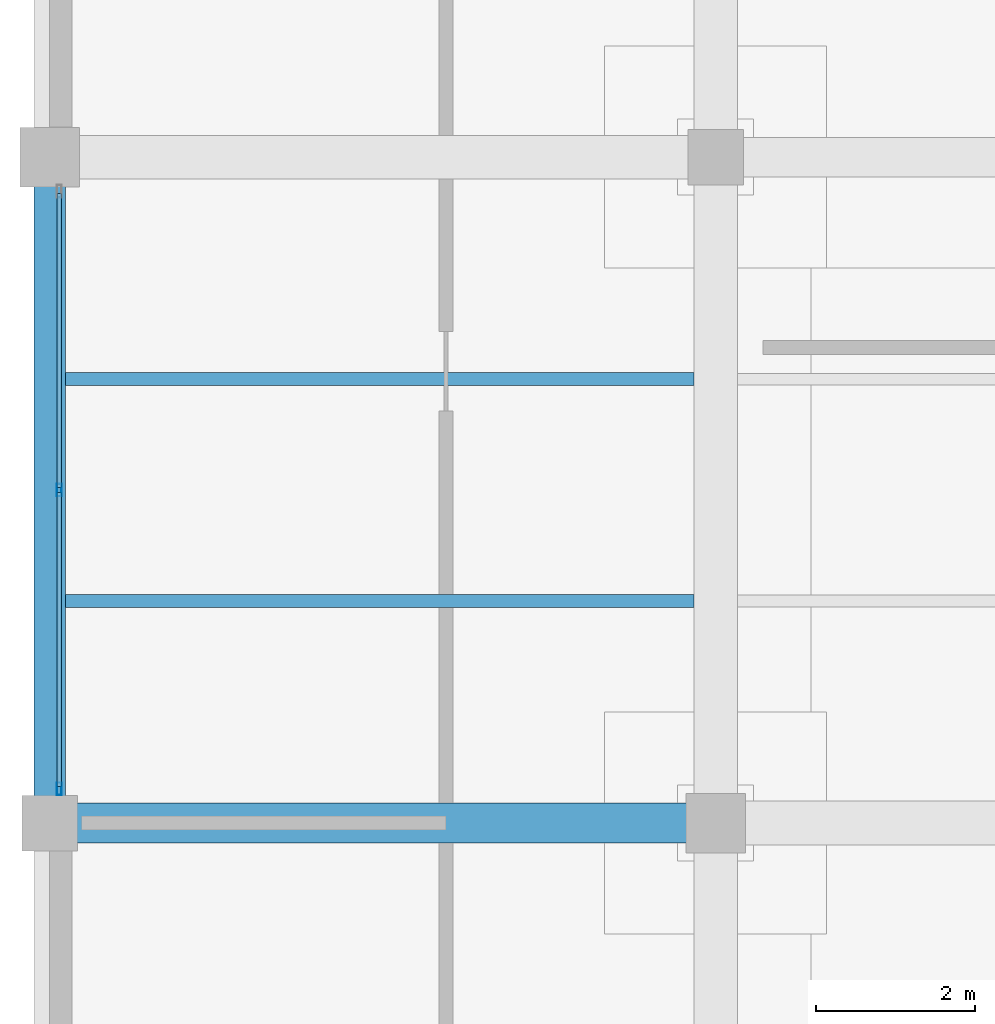
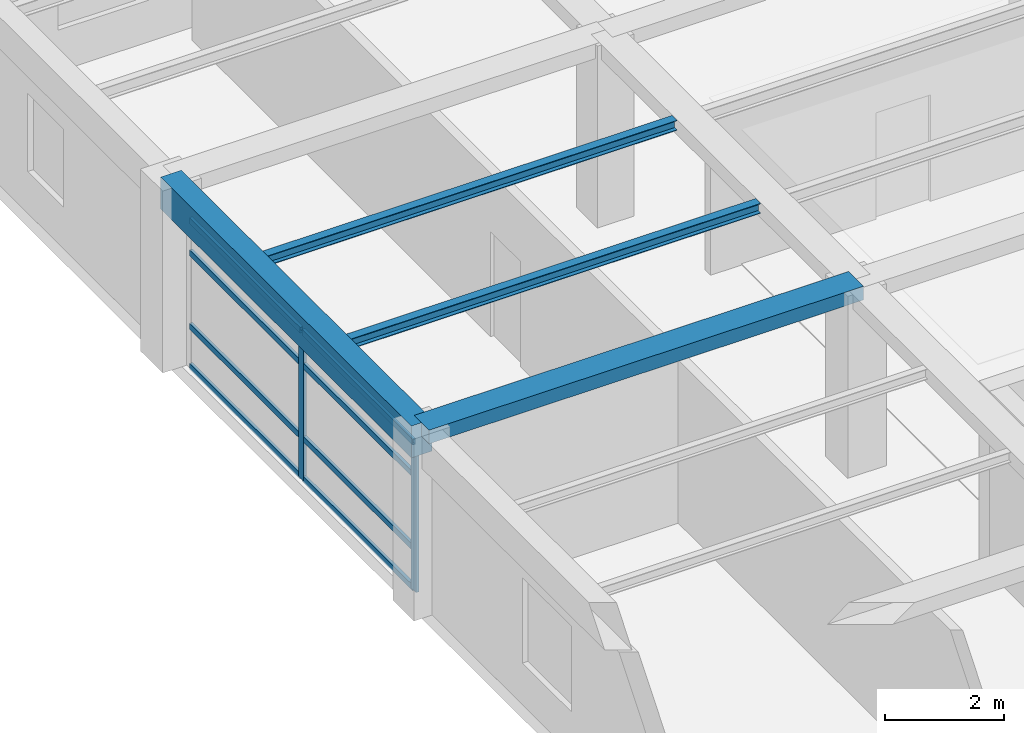
# One storey, part 6 of 26: 10 members, 4 beams, 1 element without a shape of its own.
"""IFC4 building model written with IfcOpenShell, lengths in metres."""

import ifcopenshell
import ifcopenshell.guid

model = None  # the IFC model being written
_history = None  # IfcOwnerHistory: only IFC2X3 demands one
_inside = {}  # id of a spatial element -> (the spatial element, [elements in it])
_under = {}  # id of a project, library or spatial element -> (it, [spatial elements below it])
_declared = {}  # id of a project -> (the project, [libraries it declares])
_typed = {}  # id of a type object -> (the type object, [elements of that type])
_made_of = {}  # id of a material, layer set ... -> (it, [elements and type objects made of it])


def new_model(schema):
    """Start an empty IFC model of exactly this schema.

    Asked for "IFC4X3", IfcOpenShell would pick the latest addendum, in which some entities
    have other attributes; the version numbers below select the first issue.
    IFC2X3 requires an IfcOwnerHistory on every rooted entity: one is made here for all.
    """
    global model, _history
    if schema == "IFC4X3":
        model = ifcopenshell.file(schema_version=(4, 3, 0, 0))
    else:
        model = ifcopenshell.file(schema=schema)
    _inside.clear()
    _under.clear()
    _declared.clear()
    _typed.clear()
    _made_of.clear()
    _history = None
    if model.schema == "IFC2X3":
        org = make("IfcOrganization", Name="unknown")
        user = make(
            "IfcPersonAndOrganization",
            ThePerson=make("IfcPerson", FamilyName="unknown"),
            TheOrganization=org,
        )
        app = make(
            "IfcApplication",
            ApplicationDeveloper=org,
            Version="unknown",
            ApplicationFullName="unknown",
            ApplicationIdentifier="unknown",
        )
        _history = make(
            "IfcOwnerHistory",
            OwningUser=user,
            OwningApplication=app,
            ChangeAction="ADDED",
            CreationDate=0,
        )
    return model


def make(cls, **values):
    """One entity of the class cls with the attributes given. An attribute that is None is left unset."""
    return model.create_entity(
        cls, **{name: value for name, value in values.items() if value is not None}
    )


def rooted(cls, **values):
    """An entity with a GlobalId (a new one), such as an element, a storey or a relation."""
    return make(cls, GlobalId=ifcopenshell.guid.new(), OwnerHistory=_history, **values)


def si_unit(unit_type, name, prefix=None):
    """IfcSIUnit, for example si_unit("LENGTHUNIT", "METRE", prefix="MILLI")."""
    return make("IfcSIUnit", UnitType=unit_type, Prefix=prefix, Name=name)


def assignment(units):
    """IfcUnitAssignment: the units of a project."""
    return None if units is None else make("IfcUnitAssignment", Units=units)


def point(xyz):
    """IfcCartesianPoint."""
    return None if xyz is None else make("IfcCartesianPoint", Coordinates=xyz)


def direction(xyz):
    """IfcDirection."""
    return None if xyz is None else make("IfcDirection", DirectionRatios=xyz)


def frame(location, z_axis=None, x_axis=None):
    """IfcAxis2Placement3D, a coordinate frame: its origin and axes. An axis left out is left unset."""
    return make(
        "IfcAxis2Placement3D",
        Location=point(location),
        Axis=direction(z_axis),
        RefDirection=direction(x_axis),
    )


def frame_2d(location, x_axis=None):
    """IfcAxis2Placement2D, a coordinate frame in the plane: its origin and x axis."""
    return make(
        "IfcAxis2Placement2D", Location=point(location), RefDirection=direction(x_axis)
    )


def origin():
    """The frame at (0, 0, 0) with its axes left unset."""
    return frame((0.0, 0.0, 0.0))


def origin_2d():
    """The frame at (0, 0) in the plane with its x axis left unset."""
    return frame_2d((0.0, 0.0))


def place(relative_to, where):
    """IfcLocalPlacement: puts the frame where relative to a parent placement (None: the world)."""
    return make(
        "IfcLocalPlacement", PlacementRelTo=relative_to, RelativePlacement=where
    )


def context(
    kind, dimensions, precision=None, world=None, true_north=None, identifier=None
):
    """IfcGeometricRepresentationContext, for example the 3D "Model" context."""
    return make(
        "IfcGeometricRepresentationContext",
        ContextIdentifier=identifier,
        ContextType=kind,
        CoordinateSpaceDimension=dimensions,
        Precision=precision,
        WorldCoordinateSystem=world,
        TrueNorth=true_north,
    )


def subcontext(parent, identifier, kind, view, scale=None):
    """IfcGeometricRepresentationSubContext, for example "Body" below "Model"."""
    return make(
        "IfcGeometricRepresentationSubContext",
        ContextIdentifier=identifier,
        ContextType=kind,
        ParentContext=parent,
        TargetScale=scale,
        TargetView=view,
    )


def project(units=None, contexts=None):
    """IfcProject with its units and contexts."""
    return rooted(
        "IfcProject",
        Name="project",
        RepresentationContexts=contexts,
        UnitsInContext=assignment(units),
    )


def spatial(cls, under=None, at=None, **own):
    """A site, building, storey or space (cls), placed at a placement, below another one or the project."""
    s = rooted(cls, ObjectPlacement=at, **own)
    if under is not None:
        _under.setdefault(under.id(), (under, []))[1].append(s)
    return s


def profile(cls, at=None, kind="AREA", **sizes):
    """A parametric profile (cls). Its sizes go by their IFC names, for example OverallWidth=200.0."""
    return make(cls, ProfileType=kind, Position=at, **sizes)


def rectangle(**sizes):
    """IfcRectangleProfileDef."""
    return profile("IfcRectangleProfileDef", **sizes)


def hollow_rectangle(**sizes):
    """IfcRectangleHollowProfileDef."""
    return profile("IfcRectangleHollowProfileDef", **sizes)


def i_section(**sizes):
    """IfcIShapeProfileDef."""
    return profile("IfcIShapeProfileDef", **sizes)


def extrude(swept, where, along, depth):
    """IfcExtrudedAreaSolid: the profile swept, set in the frame where, extruded along a direction by depth."""
    return make(
        "IfcExtrudedAreaSolid",
        SweptArea=swept,
        Position=where,
        ExtrudedDirection=direction(along),
        Depth=depth,
    )


def shape(context_of_items, identifier, shape_type, items):
    """IfcShapeRepresentation: the items that make up one representation, for example the "Body"."""
    return make(
        "IfcShapeRepresentation",
        ContextOfItems=context_of_items,
        RepresentationIdentifier=identifier,
        RepresentationType=shape_type,
        Items=items,
    )


def material(Name=None, Category=None):
    """IfcMaterial."""
    return make("IfcMaterial", Name=Name, Category=Category)


def material_profile(
    of_material, cross_section, Name=None, Category=None, Priority=None
):
    """IfcMaterialProfile: a cross section and its material."""
    return make(
        "IfcMaterialProfile",
        Name=Name,
        Material=of_material,
        Profile=cross_section,
        Priority=Priority,
        Category=Category,
    )


def profile_set(profiles, Name=None, composite=None):
    """IfcMaterialProfileSet."""
    return make(
        "IfcMaterialProfileSet",
        Name=Name,
        MaterialProfiles=profiles,
        CompositeProfile=composite,
    )


def made_of(thing, what):
    """Note that an element or type object is made of a material, layer set ...; save() writes the relation."""
    if what is not None:
        _made_of.setdefault(what.id(), (what, []))[1].append(thing)
    return thing


def type_object(cls, material=None, **own):
    """A type object (cls), such as IfcWallType, which elements share."""
    return made_of(rooted(cls, **own), material)


def element(
    cls,
    number,
    at=None,
    inside=None,
    cuts=None,
    type_object=None,
    material=None,
    context=None,
    identifier="Body",
    shape_type=None,
    held_by="IfcProductDefinitionShape",
    body=None,
    shapes=None,
    **own,
):
    """One element of the class cls, such as IfcWall. Its Tag is "e" and its number.

    at: its placement. inside: the storey or other place that contains it. cuts: it is an
    opening in that element (IfcRelVoidsElement). A single representation is given by context,
    identifier, shape_type and body (its items); several are given by shapes. held_by: the class
    of the entity that holds the representations. save() writes the other relations.
    """
    e = rooted(cls, Tag="e%d" % number, ObjectPlacement=at, **own)
    if body is not None:
        shapes = [shape(context, identifier, shape_type, body)]
    if shapes is not None:
        e.Representation = make(held_by, Representations=shapes)
    if inside is not None:
        _inside.setdefault(inside.id(), (inside, []))[1].append(e)
    if cuts is not None:
        rooted(
            "IfcRelVoidsElement", RelatingBuildingElement=cuts, RelatedOpeningElement=e
        )
    if type_object is not None:
        _typed.setdefault(type_object.id(), (type_object, []))[1].append(e)
    return made_of(e, material)


def aggregate(whole, parts):
    """IfcRelAggregates: a whole, such as a stair, and the parts it consists of."""
    return rooted("IfcRelAggregates", RelatingObject=whole, RelatedObjects=parts)


def save(model, path):
    """Write the relations noted so far, then the file.

    IfcRelAggregates (storeys below a building ...), IfcRelContainedInSpatialStructure (elements
    in a storey), IfcRelDefinesByType, IfcRelAssociatesMaterial and IfcRelDeclares: one each for
    every whole, place, type object, material and project.
    """
    for whole, parts in _under.values():
        aggregate(whole, parts)
    for where, things in _inside.values():
        rooted(
            "IfcRelContainedInSpatialStructure",
            RelatedElements=things,
            RelatingStructure=where,
        )
    for kind, things in _typed.values():
        rooted("IfcRelDefinesByType", RelatedObjects=things, RelatingType=kind)
    for what, things in _made_of.values():
        rooted("IfcRelAssociatesMaterial", RelatedObjects=things, RelatingMaterial=what)
    for by, libraries in _declared.values():
        rooted("IfcRelDeclares", RelatingContext=by, RelatedDefinitions=libraries)
    model.write(path)


model = new_model("IFC4")

# Units and contexts
model_context = context("Model", 3, precision=1e-05, world=origin(), true_north=direction((0.0, 1.0)))
body_context = subcontext(model_context, "Body", "Model", "MODEL_VIEW")
ifc_project = project(units=[si_unit("LENGTHUNIT", "METRE"), si_unit("AREAUNIT", "SQUARE_METRE"), si_unit("VOLUMEUNIT", "CUBIC_METRE"), si_unit("PLANEANGLEUNIT", "RADIAN"), si_unit("MASSUNIT", "GRAM", prefix="KILO")], contexts=[model_context])

# Site, building, storey
site_placement = place(None, origin())
site = spatial("IfcSite", under=ifc_project, at=site_placement, CompositionType="ELEMENT")
building_placement = place(site_placement, origin())
building = spatial("IfcBuilding", under=site, at=building_placement, Name="Almacenes y Pasaje Nevantli", CompositionType="ELEMENT")
storey_placement = place(building_placement, frame((0.0, 0.0, 30.699951171875)))
storey = spatial("IfcBuildingStorey", under=building, at=storey_placement, Name="L07", CompositionType="ELEMENT", Elevation=30.699951171875)

# Beams
ifc_material_1 = material(Name="Concrete C35/45", Category="concrete")
ifc_material_profile_1 = material_profile(ifc_material_1, rectangle(XDim=0.39990234375, YDim=0.64990234375, at=origin_2d()), Name="RC-BM-400x650")
ifc_profile_set_1 = profile_set([ifc_material_profile_1], Name="Concrete C35/45")
beam_type_1 = type_object("IfcBeamType", Name="BM-RC-400x650", PredefinedType="SPANDREL", material=ifc_profile_set_1)
beam_1_placement = place(storey_placement, frame((109.199951171875, 84.0, 3.39501953125), z_axis=(0.0, 1.0, 0.0), x_axis=(-1.0, 0.0, 0.0)))
element("IfcBeam", 1, at=beam_1_placement, inside=storey, type_object=beam_type_1, Name="L07 North-South Reinforced Concrete Beam #3661", PredefinedType="SPANDREL", context=body_context, shape_type="SweptSolid", body=[
    extrude(rectangle(XDim=0.39990234375, YDim=0.64990234375, at=origin_2d()), origin(), (0.0, 0.0, 1.0), 8.39990234375),
])
ifc_material_2 = material(Name="Concrete C35/45", Category="concrete")
ifc_material_profile_2 = material_profile(ifc_material_2, rectangle(XDim=0.5, YDim=0.280029296875, at=origin_2d()), Name="RC-BM-500x280")
ifc_profile_set_2 = profile_set([ifc_material_profile_2], Name="Concrete C35/45")
beam_type_2 = type_object("IfcBeamType", Name="BM-RC-500x280", PredefinedType="BEAM", material=ifc_profile_set_2)
beam_2_placement = place(storey_placement, frame((109.199951171875, 84.0, 3.580078125), z_axis=(1.0, 0.0, 0.0), x_axis=(0.0, 1.0, 0.0)))
element("IfcBeam", 2, at=beam_2_placement, inside=storey, type_object=beam_type_2, Name="L07 East-West Reinforced Concrete Beam #3641", PredefinedType="BEAM", context=body_context, shape_type="SweptSolid", body=[
    extrude(rectangle(XDim=0.5, YDim=0.280029296875, at=origin_2d()), origin(), (0.0, 0.0, 1.0), 8.400146484375),
])
ifc_material_3 = material(Name="Steel ASTM A992", Category="steel")
ifc_material_profile_3 = material_profile(ifc_material_3, i_section(OverallWidth=0.166015625, OverallDepth=0.205078125, WebThickness=0.007080078125, FlangeThickness=0.01171875, at=origin_2d()), Name="IR 203x41.7")
ifc_profile_set_3 = profile_set([ifc_material_profile_3], Name="Steel ASTM A992")
beam_type_3 = type_object("IfcBeamType", Name="BM-STL-IR-203x41p7", PredefinedType="JOIST", material=ifc_profile_set_3)
for number, where, z_axis, x_axis, name in (
    (3, (109.39990234375, 86.800048828125, 3.609619140625), (1.0, 0.0, 0.0), (0.0, 1.0, 0.0), "L07 Secondary Steel Floor Joist #1391"),
    (4, (109.39990234375, 89.60009765625, 3.609619140625), (1.0, 0.0, 0.0), (0.0, 1.0, 0.0), "L07 Secondary Steel Floor Joist #1392"),
):
    element("IfcBeam", number, at=place(storey_placement, frame(where, z_axis=z_axis, x_axis=x_axis)), inside=storey, type_object=beam_type_3, Name=name, PredefinedType="JOIST", context=body_context, shape_type="SweptSolid", body=[
        extrude(i_section(OverallWidth=0.166015625, OverallDepth=0.205078125, WebThickness=0.007080078125, FlangeThickness=0.01171875, at=origin_2d()), origin(), (0.0, 0.0, 1.0), 7.925048828125),
    ])

# Curtain wall, members
ifc_material_4 = material(Name="Thermally Broken Aluminium and Low-E Glass", Category="aluminium")
curtain_wall_type = type_object("IfcCurtainWallType", Name="CW-UNIT-TOWER", PredefinedType="USERDEFINED", material=ifc_material_4)
curtain_wall_placement = place(storey_placement, origin())
curtain_wall = element("IfcCurtainWall", 5, at=curtain_wall_placement, inside=storey, type_object=curtain_wall_type, Name="L07 Tower West Curtain Wall Bay 11", ObjectType="UNITIZED CURTAIN WALL", PredefinedType="USERDEFINED")
ifc_material_5 = material(Name="Thermally Broken Anodized Aluminium", Category="aluminium")
ifc_material_profile_4 = material_profile(ifc_material_5, hollow_rectangle(XDim=0.06005859375, YDim=0.159912109375, WallThickness=0.00390625, at=origin_2d()), Name="ALU-MUL-60x160")
ifc_profile_set_4 = profile_set([ifc_material_profile_4], Name="Thermally Broken Anodized Aluminium")
member_type_1 = type_object("IfcMemberType", Name="CW-MUL-180", PredefinedType="MULLION", material=ifc_profile_set_4)
member_1_placement = place(storey_placement, frame((109.320068359375, 84.429931640625, 0.0), z_axis=(0.0, 0.0, 1.0), x_axis=(-1.0, 0.0, 0.0)))
member_1 = element("IfcMember", 6, at=member_1_placement, type_object=member_type_1, Name="CW-L07-119 mullion 1", PredefinedType="MULLION", context=body_context, shape_type="SweptSolid", body=[
    extrude(hollow_rectangle(XDim=0.06005859375, YDim=0.159912109375, WallThickness=0.00390625, at=origin_2d()), origin(), (0.0, 0.0, 1.0), 3.0400390625),
])
member_2_placement = place(storey_placement, frame((109.320068359375, 88.199951171875, 0.0), z_axis=(0.0, 0.0, 1.0), x_axis=(-1.0, 0.0, 0.0)))
member_2 = element("IfcMember", 7, at=member_2_placement, type_object=member_type_1, Name="CW-L07-119 mullion 2", PredefinedType="MULLION", context=body_context, shape_type="SweptSolid", body=[
    extrude(hollow_rectangle(XDim=0.06005859375, YDim=0.159912109375, WallThickness=0.00390625, at=origin_2d()), origin(), (0.0, 0.0, 1.0), 3.0400390625),
])
ifc_material_6 = material(Name="Thermally Broken Anodized Aluminium", Category="aluminium")
ifc_material_profile_5 = material_profile(ifc_material_6, hollow_rectangle(XDim=0.06005859375, YDim=0.1201171875, WallThickness=0.00341796875, at=origin_2d()), Name="ALU-TRN-60x120")
ifc_profile_set_5 = profile_set([ifc_material_profile_5], Name="Thermally Broken Anodized Aluminium")
member_type_2 = type_object("IfcMemberType", Name="CW-TRN-130", PredefinedType="USERDEFINED", material=ifc_profile_set_5)
member_3_placement = place(storey_placement, frame((109.320068359375, 84.4599609375, 0.030029296875), z_axis=(0.0, 1.0, 0.0), x_axis=(-1.0, 0.0, 0.0)))
member_3 = element("IfcMember", 8, at=member_3_placement, type_object=member_type_2, Name="CW-L07-119 transom 1.1", ObjectType="TRANSOM", PredefinedType="USERDEFINED", context=body_context, shape_type="SweptSolid", body=[
    extrude(hollow_rectangle(XDim=0.06005859375, YDim=0.1201171875, WallThickness=0.00341796875, at=origin_2d()), origin(), (0.0, 0.0, 1.0), 3.7099609375),
])
member_4_placement = place(storey_placement, frame((109.320068359375, 84.4599609375, 0.85009765625), z_axis=(0.0, 1.0, 0.0), x_axis=(-1.0, 0.0, 0.0)))
member_4 = element("IfcMember", 9, at=member_4_placement, type_object=member_type_2, Name="CW-L07-119 transom 1.2", ObjectType="TRANSOM", PredefinedType="USERDEFINED", context=body_context, shape_type="SweptSolid", body=[
    extrude(hollow_rectangle(XDim=0.06005859375, YDim=0.1201171875, WallThickness=0.00341796875, at=origin_2d()), origin(), (0.0, 0.0, 1.0), 3.7099609375),
])
member_5_placement = place(storey_placement, frame((109.320068359375, 84.4599609375, 2.35009765625), z_axis=(0.0, 1.0, 0.0), x_axis=(-1.0, 0.0, 0.0)))
member_5 = element("IfcMember", 10, at=member_5_placement, type_object=member_type_2, Name="CW-L07-119 transom 1.3", ObjectType="TRANSOM", PredefinedType="USERDEFINED", context=body_context, shape_type="SweptSolid", body=[
    extrude(hollow_rectangle(XDim=0.06005859375, YDim=0.1201171875, WallThickness=0.00341796875, at=origin_2d()), origin(), (0.0, 0.0, 1.0), 3.7099609375),
])
member_6_placement = place(storey_placement, frame((109.320068359375, 84.4599609375, 3.010009765625), z_axis=(0.0, 1.0, 0.0), x_axis=(-1.0, 0.0, 0.0)))
member_6 = element("IfcMember", 11, at=member_6_placement, type_object=member_type_2, Name="CW-L07-119 transom 1.4", ObjectType="TRANSOM", PredefinedType="USERDEFINED", context=body_context, shape_type="SweptSolid", body=[
    extrude(hollow_rectangle(XDim=0.06005859375, YDim=0.1201171875, WallThickness=0.00341796875, at=origin_2d()), origin(), (0.0, 0.0, 1.0), 3.7099609375),
])
member_7_placement = place(storey_placement, frame((109.320068359375, 88.22998046875, 0.030029296875), z_axis=(0.0, 1.0, 0.0), x_axis=(-1.0, 0.0, 0.0)))
member_7 = element("IfcMember", 12, at=member_7_placement, type_object=member_type_2, Name="CW-L07-119 transom 2.1", ObjectType="TRANSOM", PredefinedType="USERDEFINED", context=body_context, shape_type="SweptSolid", body=[
    extrude(hollow_rectangle(XDim=0.06005859375, YDim=0.1201171875, WallThickness=0.00341796875, at=origin_2d()), origin(), (0.0, 0.0, 1.0), 3.7099609375),
])
member_8_placement = place(storey_placement, frame((109.320068359375, 88.22998046875, 0.85009765625), z_axis=(0.0, 1.0, 0.0), x_axis=(-1.0, 0.0, 0.0)))
member_8 = element("IfcMember", 13, at=member_8_placement, type_object=member_type_2, Name="CW-L07-119 transom 2.2", ObjectType="TRANSOM", PredefinedType="USERDEFINED", context=body_context, shape_type="SweptSolid", body=[
    extrude(hollow_rectangle(XDim=0.06005859375, YDim=0.1201171875, WallThickness=0.00341796875, at=origin_2d()), origin(), (0.0, 0.0, 1.0), 3.7099609375),
])
member_9_placement = place(storey_placement, frame((109.320068359375, 88.22998046875, 2.35009765625), z_axis=(0.0, 1.0, 0.0), x_axis=(-1.0, 0.0, 0.0)))
member_9 = element("IfcMember", 14, at=member_9_placement, type_object=member_type_2, Name="CW-L07-119 transom 2.3", ObjectType="TRANSOM", PredefinedType="USERDEFINED", context=body_context, shape_type="SweptSolid", body=[
    extrude(hollow_rectangle(XDim=0.06005859375, YDim=0.1201171875, WallThickness=0.00341796875, at=origin_2d()), origin(), (0.0, 0.0, 1.0), 3.7099609375),
])
member_10_placement = place(storey_placement, frame((109.320068359375, 88.22998046875, 3.010009765625), z_axis=(0.0, 1.0, 0.0), x_axis=(-1.0, 0.0, 0.0)))
member_10 = element("IfcMember", 15, at=member_10_placement, type_object=member_type_2, Name="CW-L07-119 transom 2.4", ObjectType="TRANSOM", PredefinedType="USERDEFINED", context=body_context, shape_type="SweptSolid", body=[
    extrude(hollow_rectangle(XDim=0.06005859375, YDim=0.1201171875, WallThickness=0.00341796875, at=origin_2d()), origin(), (0.0, 0.0, 1.0), 3.7099609375),
])
aggregate(curtain_wall, [member_1, member_2, member_3, member_4, member_5, member_6, member_7, member_8, member_9, member_10])

save(model, "model.ifc")
